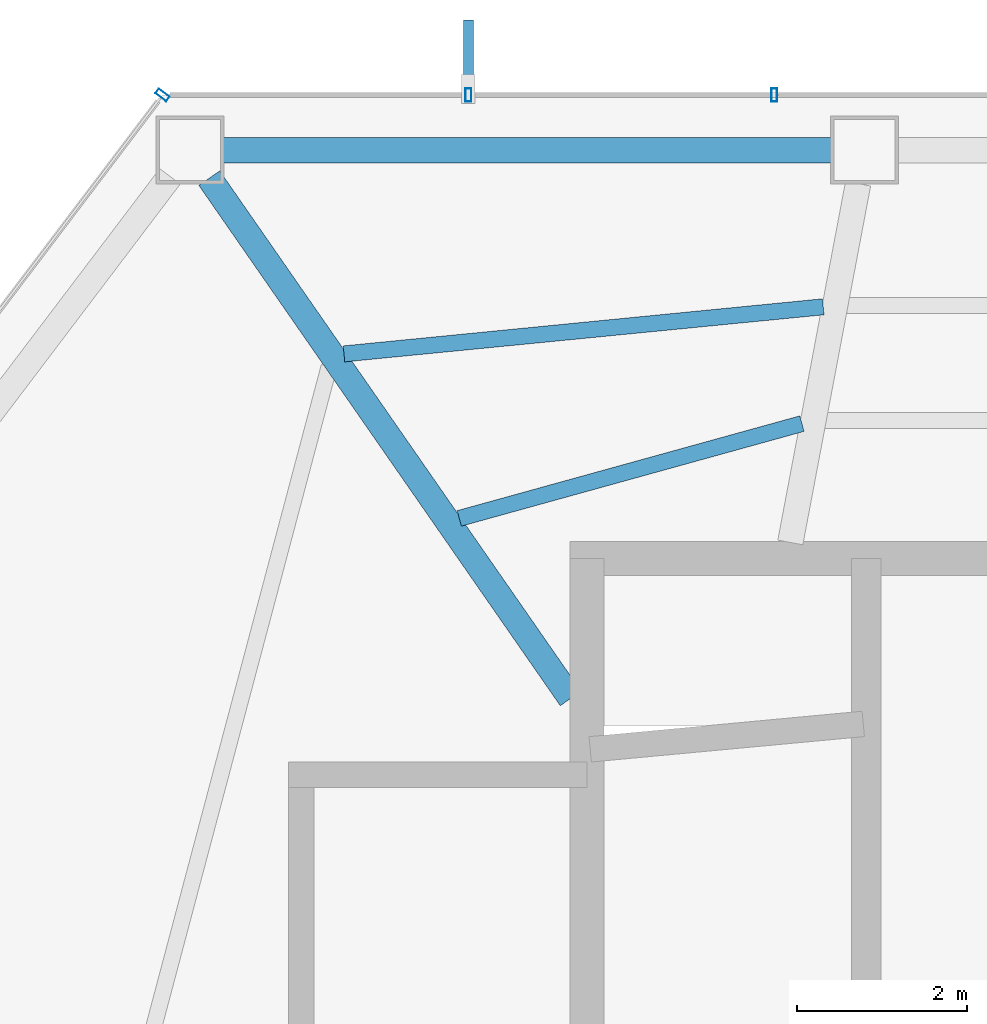
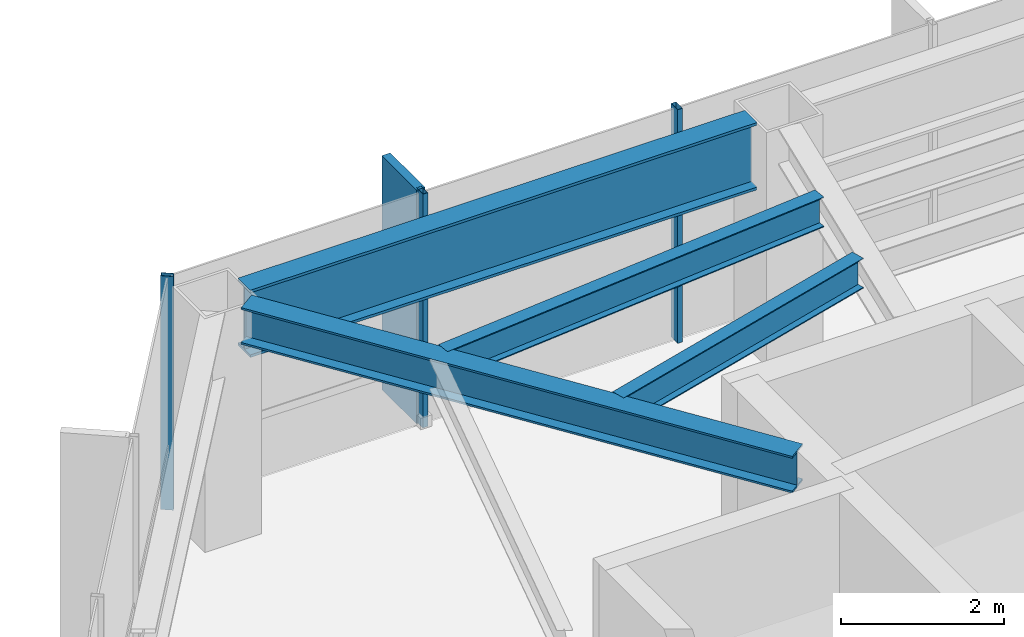
# One storey, part 12 of 28: 4 beams, 4 members, 2 elements without a shape of their own.
"""IFC4 building model written with IfcOpenShell, lengths in metres."""

from ifc_helpers import new_model, si_unit, direction, frame, origin, origin_2d, place, context, subcontext, project, spatial, rectangle, hollow_rectangle, i_section, extrude, material, layer, layer_set, material_profile, profile_set, type_object, element, aggregate, save


model = new_model("IFC4")

# Units and contexts
model_context = context("Model", 3, precision=1e-05, world=origin(), true_north=direction((0.0, 1.0)))
body_context = subcontext(model_context, "Body", "Model", "MODEL_VIEW")
ifc_project = project(units=[si_unit("LENGTHUNIT", "METRE"), si_unit("AREAUNIT", "SQUARE_METRE"), si_unit("VOLUMEUNIT", "CUBIC_METRE"), si_unit("PLANEANGLEUNIT", "RADIAN"), si_unit("MASSUNIT", "GRAM", prefix="KILO")], contexts=[model_context])

# Site, building, storey
site_placement = place(None, origin())
site = spatial("IfcSite", under=ifc_project, at=site_placement, CompositionType="ELEMENT")
building_placement = place(site_placement, origin())
building = spatial("IfcBuilding", under=site, at=building_placement, Name="Zarrinselat Tower", CompositionType="ELEMENT")
storey_placement = place(building_placement, frame((0.0, 0.0, 157.080078125)))
storey = spatial("IfcBuildingStorey", under=building, at=storey_placement, Name="L38", CompositionType="ELEMENT", Elevation=157.080078125)

# Beams
ifc_material_1 = material(Name="Steel S355J2", Category="steel")
ifc_material_profile_1 = material_profile(ifc_material_1, i_section(OverallWidth=0.300048828125, OverallDepth=0.550048828125, WebThickness=0.014892578125, FlangeThickness=0.029052734375, at=origin_2d()), Name="HEB 550")
ifc_profile_set_1 = profile_set([ifc_material_profile_1], Name="Steel S355J2")
beam_type_1 = type_object("IfcBeamType", Name="BM-HEB550", PredefinedType="BEAM", material=ifc_profile_set_1)
beam_1_placement = place(storey_placement, frame((24.147216796875, 47.9365234375, 3.224853515625), z_axis=(0.570509087188, -0.82129128903, 0.0), x_axis=(0.82129128903, 0.570509087188, 0.0)))
element("IfcBeam", 1, at=beam_1_placement, inside=storey, type_object=beam_type_1, Name="L38 Radial Primary Girder RG05", PredefinedType="BEAM", context=body_context, shape_type="SweptSolid", body=[
    extrude(i_section(OverallWidth=0.300048828125, OverallDepth=0.550048828125, WebThickness=0.014892578125, FlangeThickness=0.029052734375, at=origin_2d()), origin(), (0.0, 0.0, 1.0), 7.4716796875),
])
ifc_material_2 = material(Name="Steel S460M", Category="steel")
ifc_material_profile_2 = material_profile(ifc_material_2, i_section(OverallWidth=0.302001953125, OverallDepth=1.008056640625, WebThickness=0.02099609375, FlangeThickness=0.0400390625, at=origin_2d()), Name="HEM 1000")
ifc_profile_set_2 = profile_set([ifc_material_profile_2], Name="Steel S460M")
beam_type_2 = type_object("IfcBeamType", Name="BM-HEM1000", PredefinedType="BEAM", material=ifc_profile_set_2)
beam_2_placement = place(storey_placement, frame((24.305908203125, 48.2666015625, 2.995849609375), z_axis=(1.0, 0.0, 0.0), x_axis=(0.0, 1.0, 0.0)))
element("IfcBeam", 2, at=beam_2_placement, inside=storey, type_object=beam_type_2, Name="L38 Perimeter Spandrel Girder SP04", PredefinedType="BEAM", context=body_context, shape_type="SweptSolid", body=[
    extrude(i_section(OverallWidth=0.302001953125, OverallDepth=1.008056640625, WebThickness=0.02099609375, FlangeThickness=0.0400390625, at=origin_2d()), origin(), (0.0, 0.0, 1.0), 7.18017578125),
])
ifc_material_3 = material(Name="Steel S355J2", Category="steel")
ifc_material_profile_3 = material_profile(ifc_material_3, i_section(OverallWidth=0.18994140625, OverallDepth=0.449951171875, WebThickness=0.009521484375, FlangeThickness=0.0146484375, at=origin_2d()), Name="IPE 450")
ifc_profile_set_3 = profile_set([ifc_material_profile_3], Name="Steel S355J2")
beam_type_3 = type_object("IfcBeamType", Name="BM-IPE450", PredefinedType="JOIST", material=ifc_profile_set_3)
beam_3_placement = place(storey_placement, frame((25.73583984375, 45.86376953125, 3.27490234375), z_axis=(0.995206811209, 0.097792652708, 0.0), x_axis=(-0.097792652708, 0.995206811209, 0.0)))
element("IfcBeam", 3, at=beam_3_placement, inside=storey, type_object=beam_type_3, Name="L38 Composite Floor Joist 8-1", PredefinedType="JOIST", context=body_context, shape_type="SweptSolid", body=[
    extrude(i_section(OverallWidth=0.18994140625, OverallDepth=0.449951171875, WebThickness=0.009521484375, FlangeThickness=0.0146484375, at=origin_2d()), origin(), (0.0, 0.0, 1.0), 5.6796875),
])
beam_4_placement = place(storey_placement, frame((27.095703125, 43.923583984375, 3.27490234375), z_axis=(0.963803480542, 0.266613673497, 0.0), x_axis=(-0.266613673497, 0.963803480542, 0.0)))
element("IfcBeam", 4, at=beam_4_placement, inside=storey, type_object=beam_type_3, Name="L38 Composite Floor Joist 8-2", PredefinedType="JOIST", context=body_context, shape_type="SweptSolid", body=[
    extrude(i_section(OverallWidth=0.18994140625, OverallDepth=0.449951171875, WebThickness=0.009521484375, FlangeThickness=0.0146484375, at=origin_2d()), origin(), (0.0, 0.0, 1.0), 4.193115234375),
])

# Curtain wall, member
ifc_material_4 = material(Name="Extruded Aluminium Alloy EN AW-6063 T6", Category="aluminium")
ifc_layer = layer(ifc_material_4, 0.175048828125)
ifc_layer_set = layer_set([ifc_layer], Name="Extruded Aluminium Alloy EN AW-6063 T6")
curtain_wall_type = type_object("IfcCurtainWallType", Name="CWS-HTL", PredefinedType="NOTDEFINED", material=ifc_layer_set)
curtain_wall_1_placement = place(storey_placement, origin())
curtain_wall_1 = element("IfcCurtainWall", 5, at=curtain_wall_1_placement, inside=storey, type_object=curtain_wall_type, Name="L38 Unitised Curtain Wall CW-L38-E02", PredefinedType="NOTDEFINED")
ifc_material_5 = material(Name="Extruded Aluminium Alloy EN AW-6063 T6", Category="aluminium")
ifc_material_profile_4 = material_profile(ifc_material_5, hollow_rectangle(XDim=0.070068359375, YDim=0.159912109375, WallThickness=0.00390625, at=origin_2d()), Name="RHS 160x70x4")
ifc_profile_set_4 = profile_set([ifc_material_profile_4], Name="Extruded Aluminium Alloy EN AW-6063 T6")
member_type_1 = type_object("IfcMemberType", Name="MEM-CW-MUL2", PredefinedType="MULLION", material=ifc_profile_set_4)
member_1_placement = place(storey_placement, frame((23.594970703125, 48.916748046875, 0.0), z_axis=(0.0, 0.0, 1.0), x_axis=(0.603857687995, 0.797092148154, 0.0)))
member_1 = element("IfcMember", 6, at=member_1_placement, type_object=member_type_1, Name="CW-L38-E02 Mullion 4", PredefinedType="MULLION", context=body_context, shape_type="SweptSolid", body=[
    extrude(hollow_rectangle(XDim=0.070068359375, YDim=0.159912109375, WallThickness=0.00390625, at=origin_2d()), origin(), (0.0, 0.0, 1.0), 3.5),
])
aggregate(curtain_wall_1, [member_1])

# Curtain wall, members
curtain_wall_2_placement = place(storey_placement, origin())
curtain_wall_2 = element("IfcCurtainWall", 7, at=curtain_wall_2_placement, inside=storey, type_object=curtain_wall_type, Name="L38 Unitised Curtain Wall CW-L38-E03", PredefinedType="NOTDEFINED")
member_2_placement = place(storey_placement, frame((27.202880859375, 48.916748046875, 0.0), z_axis=(0.0, 0.0, 1.0), x_axis=(1.0, 0.0, 0.0)))
member_2 = element("IfcMember", 8, at=member_2_placement, type_object=member_type_1, Name="CW-L38-E03 Mullion 1", PredefinedType="MULLION", context=body_context, shape_type="SweptSolid", body=[
    extrude(hollow_rectangle(XDim=0.070068359375, YDim=0.159912109375, WallThickness=0.00390625, at=origin_2d()), origin(), (0.0, 0.0, 1.0), 3.5),
])
member_3_placement = place(storey_placement, frame((30.810546875, 48.916748046875, 0.0), z_axis=(0.0, 0.0, 1.0), x_axis=(1.0, 0.0, 0.0)))
member_3 = element("IfcMember", 9, at=member_3_placement, type_object=member_type_1, Name="CW-L38-E03 Mullion 2", PredefinedType="MULLION", context=body_context, shape_type="SweptSolid", body=[
    extrude(hollow_rectangle(XDim=0.070068359375, YDim=0.159912109375, WallThickness=0.00390625, at=origin_2d()), origin(), (0.0, 0.0, 1.0), 3.5),
])
ifc_material_6 = material(Name="Honed Cream Travertine Stone", Category="masonry")
ifc_material_profile_5 = material_profile(ifc_material_6, rectangle(XDim=0.1201171875, YDim=0.85009765625, at=origin_2d()), Name="FIN 850x120")
ifc_profile_set_5 = profile_set([ifc_material_profile_5], Name="Honed Cream Travertine Stone")
member_type_2 = type_object("IfcMemberType", Name="MEM-STONE-FIN", PredefinedType="USERDEFINED", material=ifc_profile_set_5)
member_4_placement = place(storey_placement, frame((27.202880859375, 49.376708984375, 0.0), z_axis=(0.0, 0.0, 1.0), x_axis=(1.0, 0.0, 0.0)))
member_4 = element("IfcMember", 10, at=member_4_placement, type_object=member_type_2, Name="L38 Stone Shading Fin CW-L38-E03-01", ObjectType="FIN", PredefinedType="USERDEFINED", context=body_context, shape_type="SweptSolid", body=[
    extrude(rectangle(XDim=0.1201171875, YDim=0.85009765625, at=origin_2d()), origin(), (0.0, 0.0, 1.0), 3.5),
])
aggregate(curtain_wall_2, [member_2, member_4, member_3])

save(model, "model.ifc")
